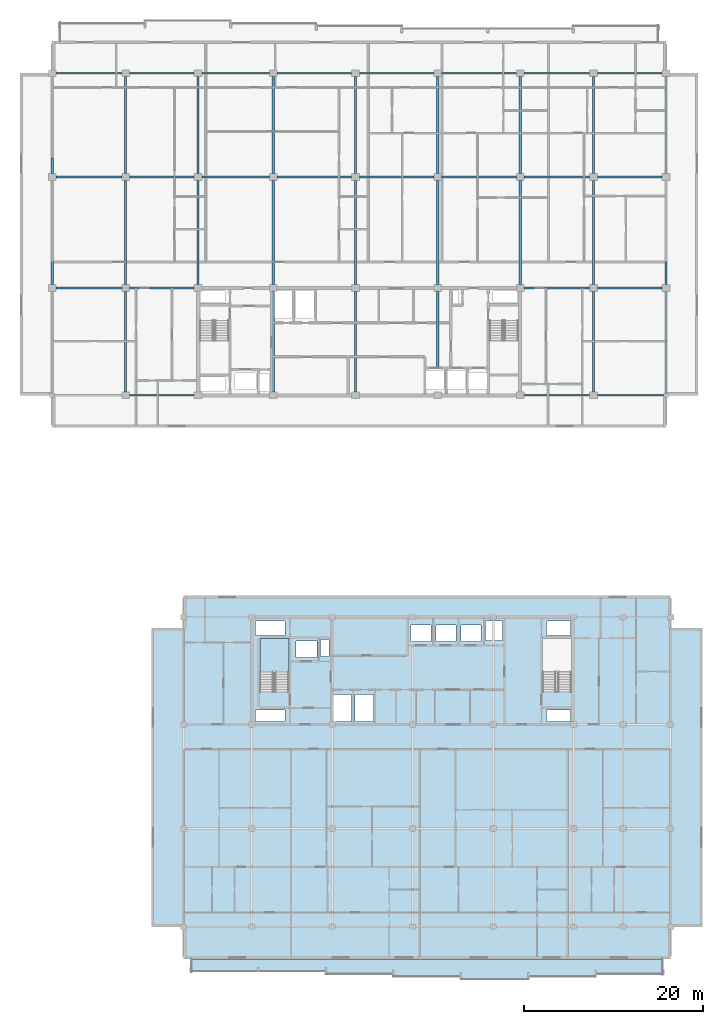
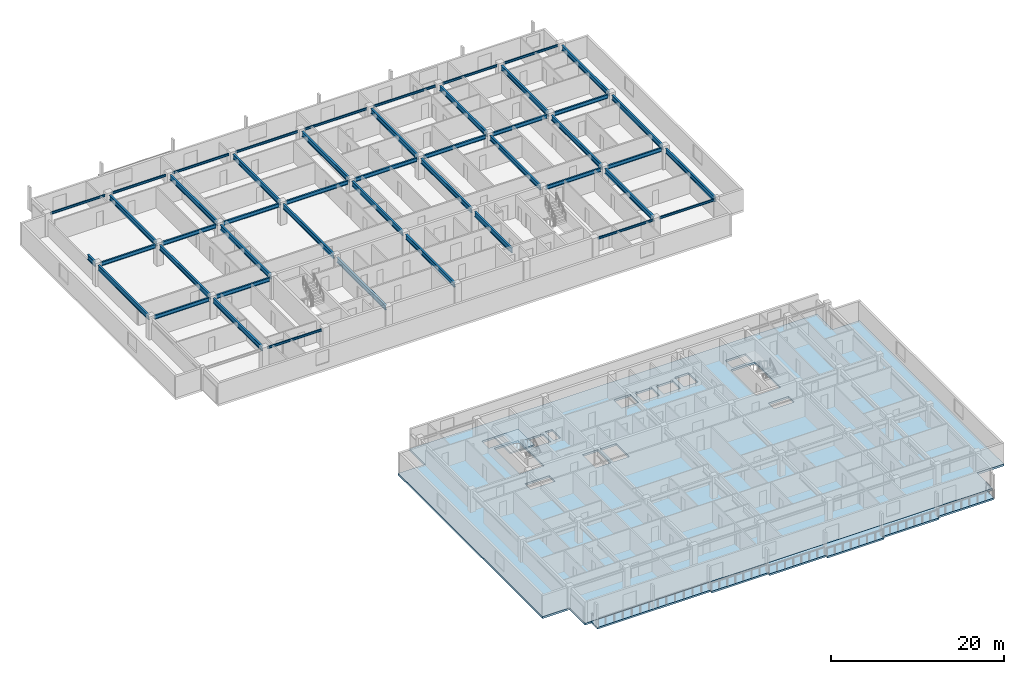
# One storey, part 2 of 21: 47 beams, 3 slabs, 1 element without a shape of its own.
"""IFC4 building model written with IfcOpenShell, lengths in metres."""

from ifc_helpers import new_model, si_unit, direction, frame, origin, origin_2d, place, context, subcontext, project, spatial, polyline, i_section, outline, extrude, material, layer, layer_set, material_profile, profile_set, type_object, element, aggregate, save


model = new_model("IFC4")

# Units and contexts
model_context = context("Model", 3, precision=1e-05, world=origin(), true_north=direction((0.0, 1.0)))
body_context = subcontext(model_context, "Body", "Model", "MODEL_VIEW")
ifc_project = project(units=[si_unit("LENGTHUNIT", "METRE"), si_unit("AREAUNIT", "SQUARE_METRE"), si_unit("VOLUMEUNIT", "CUBIC_METRE"), si_unit("PLANEANGLEUNIT", "RADIAN"), si_unit("MASSUNIT", "GRAM", prefix="KILO")], contexts=[model_context])

# Site, building, storey
site_placement = place(None, origin())
site = spatial("IfcSite", under=ifc_project, at=site_placement, CompositionType="ELEMENT")
building_placement = place(site_placement, origin())
building = spatial("IfcBuilding", under=site, at=building_placement, Name="Korimba Cascade Residences", CompositionType="ELEMENT")
storey_placement = place(building_placement, frame((0.0, 0.0, 188.10009765625)))
storey = spatial("IfcBuildingStorey", under=building, at=storey_placement, Name="L54", CompositionType="ELEMENT", Elevation=188.10009765625)

# Beams
ifc_material_1 = material(Name="Steel S355", Category="steel")
ifc_material_profile_1 = material_profile(ifc_material_1, i_section(OverallWidth=0.165771484375, OverallDepth=0.306640625, WebThickness=0.006591796875, FlangeThickness=0.01171875, FilletRadius=0.0087890625, at=origin_2d()), Name="Steel S355")
ifc_profile_set_1 = profile_set([ifc_material_profile_1], Name="Steel S355")
beam_type_1 = type_object("IfcBeamType", Name="BM-STL-UB305", PredefinedType="SPANDREL", material=ifc_profile_set_1)
beam_1_placement = place(storey_placement, frame((68.425048828125, 55.199951171875, 2.816650390625), z_axis=(1.0, 0.0, 0.0), x_axis=(0.0, 1.0, 0.0)))
element("IfcBeam", 1, at=beam_1_placement, inside=storey, type_object=beam_type_1, Name="L54 T1 E-W Girder Y1 Bay 2", PredefinedType="SPANDREL", context=body_context, shape_type="SweptSolid", body=[
    extrude(i_section(OverallWidth=0.165771484375, OverallDepth=0.306640625, WebThickness=0.006591796875, FlangeThickness=0.01171875, FilletRadius=0.0087890625, at=origin_2d()), origin(), (0.0, 0.0, 1.0), 7.25),
])
beam_2_placement = place(storey_placement, frame((112.52490234375, 55.199951171875, 2.816650390625), z_axis=(1.0, 0.0, 0.0), x_axis=(0.0, 1.0, 0.0)))
element("IfcBeam", 2, at=beam_2_placement, inside=storey, type_object=beam_type_1, Name="L54 T1 E-W Girder Y1 Bay 7", PredefinedType="SPANDREL", context=body_context, shape_type="SweptSolid", body=[
    extrude(i_section(OverallWidth=0.165771484375, OverallDepth=0.306640625, WebThickness=0.006591796875, FlangeThickness=0.01171875, FilletRadius=0.0087890625, at=origin_2d()), origin(), (0.0, 0.0, 1.0), 7.35009765625),
])
beam_3_placement = place(storey_placement, frame((120.72509765625, 55.199951171875, 2.816650390625), z_axis=(1.0, 0.0, 0.0), x_axis=(0.0, 1.0, 0.0)))
element("IfcBeam", 3, at=beam_3_placement, inside=storey, type_object=beam_type_1, Name="L54 T1 E-W Girder Y1 Bay 8", PredefinedType="SPANDREL", context=body_context, shape_type="SweptSolid", body=[
    extrude(i_section(OverallWidth=0.165771484375, OverallDepth=0.306640625, WebThickness=0.006591796875, FlangeThickness=0.01171875, FilletRadius=0.0087890625, at=origin_2d()), origin(), (0.0, 0.0, 1.0), 7.39990234375),
])
beam_4_placement = place(storey_placement, frame((60.22509765625, 91.199951171875, 2.816650390625), z_axis=(1.0, 0.0, 0.0), x_axis=(0.0, 1.0, 0.0)))
element("IfcBeam", 4, at=beam_4_placement, inside=storey, type_object=beam_type_1, Name="L54 T1 E-W Girder Y4 Bay 1", PredefinedType="SPANDREL", context=body_context, shape_type="SweptSolid", body=[
    extrude(i_section(OverallWidth=0.165771484375, OverallDepth=0.306640625, WebThickness=0.006591796875, FlangeThickness=0.01171875, FilletRadius=0.0087890625, at=origin_2d()), origin(), (0.0, 0.0, 1.0), 7.349853515625),
])
beam_5_placement = place(storey_placement, frame((68.425048828125, 91.199951171875, 2.816650390625), z_axis=(1.0, 0.0, 0.0), x_axis=(0.0, 1.0, 0.0)))
element("IfcBeam", 5, at=beam_5_placement, inside=storey, type_object=beam_type_1, Name="L54 T1 E-W Girder Y4 Bay 2", PredefinedType="SPANDREL", context=body_context, shape_type="SweptSolid", body=[
    extrude(i_section(OverallWidth=0.165771484375, OverallDepth=0.306640625, WebThickness=0.006591796875, FlangeThickness=0.01171875, FilletRadius=0.0087890625, at=origin_2d()), origin(), (0.0, 0.0, 1.0), 7.25),
])
beam_6_placement = place(storey_placement, frame((76.52490234375, 91.199951171875, 2.816650390625), z_axis=(1.0, 0.0, 0.0), x_axis=(0.0, 1.0, 0.0)))
element("IfcBeam", 6, at=beam_6_placement, inside=storey, type_object=beam_type_1, Name="L54 T1 E-W Girder Y4 Bay 3", PredefinedType="SPANDREL", context=body_context, shape_type="SweptSolid", body=[
    extrude(i_section(OverallWidth=0.165771484375, OverallDepth=0.306640625, WebThickness=0.006591796875, FlangeThickness=0.01171875, FilletRadius=0.0087890625, at=origin_2d()), origin(), (0.0, 0.0, 1.0), 7.550048828125),
])
beam_7_placement = place(storey_placement, frame((84.925048828125, 91.199951171875, 2.816650390625), z_axis=(1.0, 0.0, 0.0), x_axis=(0.0, 1.0, 0.0)))
element("IfcBeam", 7, at=beam_7_placement, inside=storey, type_object=beam_type_1, Name="L54 T1 E-W Girder Y4 Bay 4", PredefinedType="SPANDREL", context=body_context, shape_type="SweptSolid", body=[
    extrude(i_section(OverallWidth=0.165771484375, OverallDepth=0.306640625, WebThickness=0.006591796875, FlangeThickness=0.01171875, FilletRadius=0.0087890625, at=origin_2d()), origin(), (0.0, 0.0, 1.0), 8.349853515625),
])
for number, where, z_axis, x_axis, name in (
    (8, (94.125, 91.199951171875, 2.816650390625), (1.0, 0.0, 0.0), (0.0, 1.0, 0.0), "L54 T1 E-W Girder Y4 Bay 5"),
    (9, (103.324951171875, 91.199951171875, 2.816650390625), (1.0, 0.0, 0.0), (0.0, 1.0, 0.0), "L54 T1 E-W Girder Y4 Bay 6"),
):
    element("IfcBeam", number, at=place(storey_placement, frame(where, z_axis=z_axis, x_axis=x_axis)), inside=storey, type_object=beam_type_1, Name=name, PredefinedType="SPANDREL", context=body_context, shape_type="SweptSolid", body=[
        extrude(i_section(OverallWidth=0.165771484375, OverallDepth=0.306640625, WebThickness=0.006591796875, FlangeThickness=0.01171875, FilletRadius=0.0087890625, at=origin_2d()), origin(), (0.0, 0.0, 1.0), 8.35009765625),
    ])
beam_8_placement = place(storey_placement, frame((112.52490234375, 91.199951171875, 2.816650390625), z_axis=(1.0, 0.0, 0.0), x_axis=(0.0, 1.0, 0.0)))
element("IfcBeam", 10, at=beam_8_placement, inside=storey, type_object=beam_type_1, Name="L54 T1 E-W Girder Y4 Bay 7", PredefinedType="SPANDREL", context=body_context, shape_type="SweptSolid", body=[
    extrude(i_section(OverallWidth=0.165771484375, OverallDepth=0.306640625, WebThickness=0.006591796875, FlangeThickness=0.01171875, FilletRadius=0.0087890625, at=origin_2d()), origin(), (0.0, 0.0, 1.0), 7.35009765625),
])
beam_9_placement = place(storey_placement, frame((120.72509765625, 91.199951171875, 2.816650390625), z_axis=(1.0, 0.0, 0.0), x_axis=(0.0, 1.0, 0.0)))
element("IfcBeam", 11, at=beam_9_placement, inside=storey, type_object=beam_type_1, Name="L54 T1 E-W Girder Y4 Bay 8", PredefinedType="SPANDREL", context=body_context, shape_type="SweptSolid", body=[
    extrude(i_section(OverallWidth=0.165771484375, OverallDepth=0.306640625, WebThickness=0.006591796875, FlangeThickness=0.01171875, FilletRadius=0.0087890625, at=origin_2d()), origin(), (0.0, 0.0, 1.0), 7.25),
])
ifc_material_profile_2 = material_profile(ifc_material_1, i_section(OverallWidth=0.2099609375, OverallDepth=0.53662109375, WebThickness=0.0107421875, FlangeThickness=0.017333984375, FilletRadius=0.0126953125, at=origin_2d()), Name="Steel S355")
ifc_profile_set_2 = profile_set([ifc_material_profile_2], Name="Steel S355")
beam_type_2 = type_object("IfcBeamType", Name="BM-STL-UB533", PredefinedType="BEAM", material=ifc_profile_set_2)
beam_10_placement = place(storey_placement, frame((60.22509765625, 67.199951171875, 2.701416015625), z_axis=(1.0, 0.0, 0.0), x_axis=(0.0, 1.0, 0.0)))
element("IfcBeam", 12, at=beam_10_placement, inside=storey, type_object=beam_type_2, Name="L54 T1 E-W Girder Y2 Bay 1", PredefinedType="BEAM", context=body_context, shape_type="SweptSolid", body=[
    extrude(i_section(OverallWidth=0.2099609375, OverallDepth=0.53662109375, WebThickness=0.0107421875, FlangeThickness=0.017333984375, FilletRadius=0.0126953125, at=origin_2d()), origin(), (0.0, 0.0, 1.0), 7.349853515625),
])
beam_11_placement = place(storey_placement, frame((68.425048828125, 67.199951171875, 2.701416015625), z_axis=(1.0, 0.0, 0.0), x_axis=(0.0, 1.0, 0.0)))
element("IfcBeam", 13, at=beam_11_placement, inside=storey, type_object=beam_type_2, Name="L54 T1 E-W Girder Y2 Bay 2", PredefinedType="BEAM", context=body_context, shape_type="SweptSolid", body=[
    extrude(i_section(OverallWidth=0.2099609375, OverallDepth=0.53662109375, WebThickness=0.0107421875, FlangeThickness=0.017333984375, FilletRadius=0.0126953125, at=origin_2d()), origin(), (0.0, 0.0, 1.0), 7.25),
])
beam_12_placement = place(storey_placement, frame((112.52490234375, 67.199951171875, 2.701416015625), z_axis=(1.0, 0.0, 0.0), x_axis=(0.0, 1.0, 0.0)))
element("IfcBeam", 14, at=beam_12_placement, inside=storey, type_object=beam_type_2, Name="L54 T1 E-W Girder Y2 Bay 7", PredefinedType="BEAM", context=body_context, shape_type="SweptSolid", body=[
    extrude(i_section(OverallWidth=0.2099609375, OverallDepth=0.53662109375, WebThickness=0.0107421875, FlangeThickness=0.017333984375, FilletRadius=0.0126953125, at=origin_2d()), origin(), (0.0, 0.0, 1.0), 7.35009765625),
])
beam_13_placement = place(storey_placement, frame((120.72509765625, 67.199951171875, 2.701416015625), z_axis=(1.0, 0.0, 0.0), x_axis=(0.0, 1.0, 0.0)))
element("IfcBeam", 15, at=beam_13_placement, inside=storey, type_object=beam_type_2, Name="L54 T1 E-W Girder Y2 Bay 8", PredefinedType="BEAM", context=body_context, shape_type="SweptSolid", body=[
    extrude(i_section(OverallWidth=0.2099609375, OverallDepth=0.53662109375, WebThickness=0.0107421875, FlangeThickness=0.017333984375, FilletRadius=0.0126953125, at=origin_2d()), origin(), (0.0, 0.0, 1.0), 7.25),
])
beam_14_placement = place(storey_placement, frame((60.22509765625, 79.60009765625, 2.701416015625), z_axis=(1.0, 0.0, 0.0), x_axis=(0.0, 1.0, 0.0)))
element("IfcBeam", 16, at=beam_14_placement, inside=storey, type_object=beam_type_2, Name="L54 T1 E-W Girder Y3 Bay 1", PredefinedType="BEAM", context=body_context, shape_type="SweptSolid", body=[
    extrude(i_section(OverallWidth=0.2099609375, OverallDepth=0.53662109375, WebThickness=0.0107421875, FlangeThickness=0.017333984375, FilletRadius=0.0126953125, at=origin_2d()), origin(), (0.0, 0.0, 1.0), 7.349853515625),
])
beam_15_placement = place(storey_placement, frame((68.425048828125, 79.60009765625, 2.701416015625), z_axis=(1.0, 0.0, 0.0), x_axis=(0.0, 1.0, 0.0)))
element("IfcBeam", 17, at=beam_15_placement, inside=storey, type_object=beam_type_2, Name="L54 T1 E-W Girder Y3 Bay 2", PredefinedType="BEAM", context=body_context, shape_type="SweptSolid", body=[
    extrude(i_section(OverallWidth=0.2099609375, OverallDepth=0.53662109375, WebThickness=0.0107421875, FlangeThickness=0.017333984375, FilletRadius=0.0126953125, at=origin_2d()), origin(), (0.0, 0.0, 1.0), 7.25),
])
beam_16_placement = place(storey_placement, frame((76.52490234375, 79.60009765625, 2.701416015625), z_axis=(1.0, 0.0, 0.0), x_axis=(0.0, 1.0, 0.0)))
element("IfcBeam", 18, at=beam_16_placement, inside=storey, type_object=beam_type_2, Name="L54 T1 E-W Girder Y3 Bay 3", PredefinedType="BEAM", context=body_context, shape_type="SweptSolid", body=[
    extrude(i_section(OverallWidth=0.2099609375, OverallDepth=0.53662109375, WebThickness=0.0107421875, FlangeThickness=0.017333984375, FilletRadius=0.0126953125, at=origin_2d()), origin(), (0.0, 0.0, 1.0), 7.550048828125),
])
beam_17_placement = place(storey_placement, frame((84.925048828125, 79.60009765625, 2.701416015625), z_axis=(1.0, 0.0, 0.0), x_axis=(0.0, 1.0, 0.0)))
element("IfcBeam", 19, at=beam_17_placement, inside=storey, type_object=beam_type_2, Name="L54 T1 E-W Girder Y3 Bay 4", PredefinedType="BEAM", context=body_context, shape_type="SweptSolid", body=[
    extrude(i_section(OverallWidth=0.2099609375, OverallDepth=0.53662109375, WebThickness=0.0107421875, FlangeThickness=0.017333984375, FilletRadius=0.0126953125, at=origin_2d()), origin(), (0.0, 0.0, 1.0), 8.349853515625),
])
for number, where, z_axis, x_axis, name in (
    (20, (94.125, 79.60009765625, 2.701416015625), (1.0, 0.0, 0.0), (0.0, 1.0, 0.0), "L54 T1 E-W Girder Y3 Bay 5"),
    (21, (103.324951171875, 79.60009765625, 2.701416015625), (1.0, 0.0, 0.0), (0.0, 1.0, 0.0), "L54 T1 E-W Girder Y3 Bay 6"),
):
    element("IfcBeam", number, at=place(storey_placement, frame(where, z_axis=z_axis, x_axis=x_axis)), inside=storey, type_object=beam_type_2, Name=name, PredefinedType="BEAM", context=body_context, shape_type="SweptSolid", body=[
        extrude(i_section(OverallWidth=0.2099609375, OverallDepth=0.53662109375, WebThickness=0.0107421875, FlangeThickness=0.017333984375, FilletRadius=0.0126953125, at=origin_2d()), origin(), (0.0, 0.0, 1.0), 8.35009765625),
    ])
beam_18_placement = place(storey_placement, frame((112.52490234375, 79.60009765625, 2.701416015625), z_axis=(1.0, 0.0, 0.0), x_axis=(0.0, 1.0, 0.0)))
element("IfcBeam", 22, at=beam_18_placement, inside=storey, type_object=beam_type_2, Name="L54 T1 E-W Girder Y3 Bay 7", PredefinedType="BEAM", context=body_context, shape_type="SweptSolid", body=[
    extrude(i_section(OverallWidth=0.2099609375, OverallDepth=0.53662109375, WebThickness=0.0107421875, FlangeThickness=0.017333984375, FilletRadius=0.0126953125, at=origin_2d()), origin(), (0.0, 0.0, 1.0), 7.35009765625),
])
beam_19_placement = place(storey_placement, frame((120.72509765625, 79.60009765625, 2.701416015625), z_axis=(1.0, 0.0, 0.0), x_axis=(0.0, 1.0, 0.0)))
element("IfcBeam", 23, at=beam_19_placement, inside=storey, type_object=beam_type_2, Name="L54 T1 E-W Girder Y3 Bay 8", PredefinedType="BEAM", context=body_context, shape_type="SweptSolid", body=[
    extrude(i_section(OverallWidth=0.2099609375, OverallDepth=0.53662109375, WebThickness=0.0107421875, FlangeThickness=0.017333984375, FilletRadius=0.0126953125, at=origin_2d()), origin(), (0.0, 0.0, 1.0), 7.25),
])
ifc_material_profile_3 = material_profile(ifc_material_1, i_section(OverallWidth=0.255859375, OverallDepth=0.69287109375, WebThickness=0.014404296875, FlangeThickness=0.023681640625, FilletRadius=0.01513671875, at=origin_2d()), Name="Steel S355")
ifc_profile_set_3 = profile_set([ifc_material_profile_3], Name="Steel S355")
beam_type_3 = type_object("IfcBeamType", Name="BM-STL-UB686", PredefinedType="BEAM", material=ifc_profile_set_3)
beam_20_placement = place(storey_placement, frame((59.800048828125, 67.574951171875, 2.623291015625), z_axis=(0.0, 1.0, 0.0), x_axis=(-1.0, 0.0, 0.0)))
element("IfcBeam", 24, at=beam_20_placement, inside=storey, type_object=beam_type_3, Name="L54 T1 N-S Girder X1 Seg 2", PredefinedType="BEAM", context=body_context, shape_type="SweptSolid", body=[
    extrude(i_section(OverallWidth=0.255859375, OverallDepth=0.69287109375, WebThickness=0.014404296875, FlangeThickness=0.023681640625, FilletRadius=0.01513671875, at=origin_2d()), origin(), (0.0, 0.0, 1.0), 11.650146484375),
])
beam_21_placement = place(storey_placement, frame((59.800048828125, 79.97509765625, 2.623291015625), z_axis=(0.0, 1.0, 0.0), x_axis=(-1.0, 0.0, 0.0)))
element("IfcBeam", 25, at=beam_21_placement, inside=storey, type_object=beam_type_3, Name="L54 T1 N-S Girder X1 Seg 3", PredefinedType="BEAM", context=body_context, shape_type="SweptSolid", body=[
    extrude(i_section(OverallWidth=0.255859375, OverallDepth=0.69287109375, WebThickness=0.014404296875, FlangeThickness=0.023681640625, FilletRadius=0.01513671875, at=origin_2d()), origin(), (0.0, 0.0, 1.0), 1.724853515625),
])
beam_22_placement = place(storey_placement, frame((68.0, 55.574951171875, 2.623291015625), z_axis=(0.0, 1.0, 0.0), x_axis=(-1.0, 0.0, 0.0)))
element("IfcBeam", 26, at=beam_22_placement, inside=storey, type_object=beam_type_3, Name="L54 T1 N-S Girder X2 Seg 1", PredefinedType="BEAM", context=body_context, shape_type="SweptSolid", body=[
    extrude(i_section(OverallWidth=0.255859375, OverallDepth=0.69287109375, WebThickness=0.014404296875, FlangeThickness=0.023681640625, FilletRadius=0.01513671875, at=origin_2d()), origin(), (0.0, 0.0, 1.0), 11.25),
])
beam_23_placement = place(storey_placement, frame((68.0, 67.574951171875, 2.623291015625), z_axis=(0.0, 1.0, 0.0), x_axis=(-1.0, 0.0, 0.0)))
element("IfcBeam", 27, at=beam_23_placement, inside=storey, type_object=beam_type_3, Name="L54 T1 N-S Girder X2 Seg 2", PredefinedType="BEAM", context=body_context, shape_type="SweptSolid", body=[
    extrude(i_section(OverallWidth=0.255859375, OverallDepth=0.69287109375, WebThickness=0.014404296875, FlangeThickness=0.023681640625, FilletRadius=0.01513671875, at=origin_2d()), origin(), (0.0, 0.0, 1.0), 11.650146484375),
])
beam_24_placement = place(storey_placement, frame((68.0, 79.97509765625, 2.623291015625), z_axis=(0.0, 1.0, 0.0), x_axis=(-1.0, 0.0, 0.0)))
element("IfcBeam", 28, at=beam_24_placement, inside=storey, type_object=beam_type_3, Name="L54 T1 N-S Girder X2 Seg 3", PredefinedType="BEAM", context=body_context, shape_type="SweptSolid", body=[
    extrude(i_section(OverallWidth=0.255859375, OverallDepth=0.69287109375, WebThickness=0.014404296875, FlangeThickness=0.023681640625, FilletRadius=0.01513671875, at=origin_2d()), origin(), (0.0, 0.0, 1.0), 10.849853515625),
])
beam_25_placement = place(storey_placement, frame((76.10009765625, 67.574951171875, 2.623291015625), z_axis=(0.0, 1.0, 0.0), x_axis=(-1.0, 0.0, 0.0)))
element("IfcBeam", 29, at=beam_25_placement, inside=storey, type_object=beam_type_3, Name="L54 T1 N-S Girder X3 Seg 2", PredefinedType="BEAM", context=body_context, shape_type="SweptSolid", body=[
    extrude(i_section(OverallWidth=0.255859375, OverallDepth=0.69287109375, WebThickness=0.014404296875, FlangeThickness=0.023681640625, FilletRadius=0.01513671875, at=origin_2d()), origin(), (0.0, 0.0, 1.0), 11.650146484375),
])
beam_26_placement = place(storey_placement, frame((76.10009765625, 79.97509765625, 2.623291015625), z_axis=(0.0, 1.0, 0.0), x_axis=(-1.0, 0.0, 0.0)))
element("IfcBeam", 30, at=beam_26_placement, inside=storey, type_object=beam_type_3, Name="L54 T1 N-S Girder X3 Seg 3", PredefinedType="BEAM", context=body_context, shape_type="SweptSolid", body=[
    extrude(i_section(OverallWidth=0.255859375, OverallDepth=0.69287109375, WebThickness=0.014404296875, FlangeThickness=0.023681640625, FilletRadius=0.01513671875, at=origin_2d()), origin(), (0.0, 0.0, 1.0), 10.849853515625),
])
beam_27_placement = place(storey_placement, frame((84.5, 55.574951171875, 2.623291015625), z_axis=(0.0, 1.0, 0.0), x_axis=(-1.0, 0.0, 0.0)))
element("IfcBeam", 31, at=beam_27_placement, inside=storey, type_object=beam_type_3, Name="L54 T1 N-S Girder X4 Seg 1", PredefinedType="BEAM", context=body_context, shape_type="SweptSolid", body=[
    extrude(i_section(OverallWidth=0.255859375, OverallDepth=0.69287109375, WebThickness=0.014404296875, FlangeThickness=0.023681640625, FilletRadius=0.01513671875, at=origin_2d()), origin(), (0.0, 0.0, 1.0), 11.25),
])
beam_28_placement = place(storey_placement, frame((84.5, 67.574951171875, 2.623291015625), z_axis=(0.0, 1.0, 0.0), x_axis=(-1.0, 0.0, 0.0)))
element("IfcBeam", 32, at=beam_28_placement, inside=storey, type_object=beam_type_3, Name="L54 T1 N-S Girder X4 Seg 2", PredefinedType="BEAM", context=body_context, shape_type="SweptSolid", body=[
    extrude(i_section(OverallWidth=0.255859375, OverallDepth=0.69287109375, WebThickness=0.014404296875, FlangeThickness=0.023681640625, FilletRadius=0.01513671875, at=origin_2d()), origin(), (0.0, 0.0, 1.0), 11.650146484375),
])
beam_29_placement = place(storey_placement, frame((84.5, 79.97509765625, 2.623291015625), z_axis=(0.0, 1.0, 0.0), x_axis=(-1.0, 0.0, 0.0)))
element("IfcBeam", 33, at=beam_29_placement, inside=storey, type_object=beam_type_3, Name="L54 T1 N-S Girder X4 Seg 3", PredefinedType="BEAM", context=body_context, shape_type="SweptSolid", body=[
    extrude(i_section(OverallWidth=0.255859375, OverallDepth=0.69287109375, WebThickness=0.014404296875, FlangeThickness=0.023681640625, FilletRadius=0.01513671875, at=origin_2d()), origin(), (0.0, 0.0, 1.0), 10.849853515625),
])
beam_30_placement = place(storey_placement, frame((93.699951171875, 55.574951171875, 2.623291015625), z_axis=(0.0, 1.0, 0.0), x_axis=(-1.0, 0.0, 0.0)))
element("IfcBeam", 34, at=beam_30_placement, inside=storey, type_object=beam_type_3, Name="L54 T1 N-S Girder X5 Seg 1", PredefinedType="BEAM", context=body_context, shape_type="SweptSolid", body=[
    extrude(i_section(OverallWidth=0.255859375, OverallDepth=0.69287109375, WebThickness=0.014404296875, FlangeThickness=0.023681640625, FilletRadius=0.01513671875, at=origin_2d()), origin(), (0.0, 0.0, 1.0), 11.25),
])
beam_31_placement = place(storey_placement, frame((93.699951171875, 67.574951171875, 2.623291015625), z_axis=(0.0, 1.0, 0.0), x_axis=(-1.0, 0.0, 0.0)))
element("IfcBeam", 35, at=beam_31_placement, inside=storey, type_object=beam_type_3, Name="L54 T1 N-S Girder X5 Seg 2", PredefinedType="BEAM", context=body_context, shape_type="SweptSolid", body=[
    extrude(i_section(OverallWidth=0.255859375, OverallDepth=0.69287109375, WebThickness=0.014404296875, FlangeThickness=0.023681640625, FilletRadius=0.01513671875, at=origin_2d()), origin(), (0.0, 0.0, 1.0), 11.650146484375),
])
beam_32_placement = place(storey_placement, frame((93.699951171875, 79.97509765625, 2.623291015625), z_axis=(0.0, 1.0, 0.0), x_axis=(-1.0, 0.0, 0.0)))
element("IfcBeam", 36, at=beam_32_placement, inside=storey, type_object=beam_type_3, Name="L54 T1 N-S Girder X5 Seg 3", PredefinedType="BEAM", context=body_context, shape_type="SweptSolid", body=[
    extrude(i_section(OverallWidth=0.255859375, OverallDepth=0.69287109375, WebThickness=0.014404296875, FlangeThickness=0.023681640625, FilletRadius=0.01513671875, at=origin_2d()), origin(), (0.0, 0.0, 1.0), 10.849853515625),
])
beam_33_placement = place(storey_placement, frame((102.89990234375, 58.260009765625, 2.623291015625), z_axis=(0.0, 1.0, 0.0), x_axis=(-1.0, 0.0, 0.0)))
element("IfcBeam", 37, at=beam_33_placement, inside=storey, type_object=beam_type_3, Name="L54 T1 N-S Girder X6 Seg 1", PredefinedType="BEAM", context=body_context, shape_type="SweptSolid", body=[
    extrude(i_section(OverallWidth=0.255859375, OverallDepth=0.69287109375, WebThickness=0.014404296875, FlangeThickness=0.023681640625, FilletRadius=0.01513671875, at=origin_2d()), origin(), (0.0, 0.0, 1.0), 8.56494140625),
])
beam_34_placement = place(storey_placement, frame((102.89990234375, 67.574951171875, 2.623291015625), z_axis=(0.0, 1.0, 0.0), x_axis=(-1.0, 0.0, 0.0)))
element("IfcBeam", 38, at=beam_34_placement, inside=storey, type_object=beam_type_3, Name="L54 T1 N-S Girder X6 Seg 2", PredefinedType="BEAM", context=body_context, shape_type="SweptSolid", body=[
    extrude(i_section(OverallWidth=0.255859375, OverallDepth=0.69287109375, WebThickness=0.014404296875, FlangeThickness=0.023681640625, FilletRadius=0.01513671875, at=origin_2d()), origin(), (0.0, 0.0, 1.0), 11.650146484375),
])
beam_35_placement = place(storey_placement, frame((102.89990234375, 79.97509765625, 2.623291015625), z_axis=(0.0, 1.0, 0.0), x_axis=(-1.0, 0.0, 0.0)))
element("IfcBeam", 39, at=beam_35_placement, inside=storey, type_object=beam_type_3, Name="L54 T1 N-S Girder X6 Seg 3", PredefinedType="BEAM", context=body_context, shape_type="SweptSolid", body=[
    extrude(i_section(OverallWidth=0.255859375, OverallDepth=0.69287109375, WebThickness=0.014404296875, FlangeThickness=0.023681640625, FilletRadius=0.01513671875, at=origin_2d()), origin(), (0.0, 0.0, 1.0), 10.849853515625),
])
beam_36_placement = place(storey_placement, frame((112.10009765625, 67.574951171875, 2.623291015625), z_axis=(0.0, 1.0, 0.0), x_axis=(-1.0, 0.0, 0.0)))
element("IfcBeam", 40, at=beam_36_placement, inside=storey, type_object=beam_type_3, Name="L54 T1 N-S Girder X7 Seg 2", PredefinedType="BEAM", context=body_context, shape_type="SweptSolid", body=[
    extrude(i_section(OverallWidth=0.255859375, OverallDepth=0.69287109375, WebThickness=0.014404296875, FlangeThickness=0.023681640625, FilletRadius=0.01513671875, at=origin_2d()), origin(), (0.0, 0.0, 1.0), 11.650146484375),
])
beam_37_placement = place(storey_placement, frame((112.10009765625, 79.97509765625, 2.623291015625), z_axis=(0.0, 1.0, 0.0), x_axis=(-1.0, 0.0, 0.0)))
element("IfcBeam", 41, at=beam_37_placement, inside=storey, type_object=beam_type_3, Name="L54 T1 N-S Girder X7 Seg 3", PredefinedType="BEAM", context=body_context, shape_type="SweptSolid", body=[
    extrude(i_section(OverallWidth=0.255859375, OverallDepth=0.69287109375, WebThickness=0.014404296875, FlangeThickness=0.023681640625, FilletRadius=0.01513671875, at=origin_2d()), origin(), (0.0, 0.0, 1.0), 10.849853515625),
])
beam_38_placement = place(storey_placement, frame((120.300048828125, 55.574951171875, 2.623291015625), z_axis=(0.0, 1.0, 0.0), x_axis=(-1.0, 0.0, 0.0)))
element("IfcBeam", 42, at=beam_38_placement, inside=storey, type_object=beam_type_3, Name="L54 T1 N-S Girder X8 Seg 1", PredefinedType="BEAM", context=body_context, shape_type="SweptSolid", body=[
    extrude(i_section(OverallWidth=0.255859375, OverallDepth=0.69287109375, WebThickness=0.014404296875, FlangeThickness=0.023681640625, FilletRadius=0.01513671875, at=origin_2d()), origin(), (0.0, 0.0, 1.0), 11.25),
])
beam_39_placement = place(storey_placement, frame((120.300048828125, 67.574951171875, 2.623291015625), z_axis=(0.0, 1.0, 0.0), x_axis=(-1.0, 0.0, 0.0)))
element("IfcBeam", 43, at=beam_39_placement, inside=storey, type_object=beam_type_3, Name="L54 T1 N-S Girder X8 Seg 2", PredefinedType="BEAM", context=body_context, shape_type="SweptSolid", body=[
    extrude(i_section(OverallWidth=0.255859375, OverallDepth=0.69287109375, WebThickness=0.014404296875, FlangeThickness=0.023681640625, FilletRadius=0.01513671875, at=origin_2d()), origin(), (0.0, 0.0, 1.0), 11.650146484375),
])
beam_40_placement = place(storey_placement, frame((120.300048828125, 79.97509765625, 2.623291015625), z_axis=(0.0, 1.0, 0.0), x_axis=(-1.0, 0.0, 0.0)))
element("IfcBeam", 44, at=beam_40_placement, inside=storey, type_object=beam_type_3, Name="L54 T1 N-S Girder X8 Seg 3", PredefinedType="BEAM", context=body_context, shape_type="SweptSolid", body=[
    extrude(i_section(OverallWidth=0.255859375, OverallDepth=0.69287109375, WebThickness=0.014404296875, FlangeThickness=0.023681640625, FilletRadius=0.01513671875, at=origin_2d()), origin(), (0.0, 0.0, 1.0), 10.849853515625),
])
beam_41_placement = place(storey_placement, frame((128.39990234375, 55.425048828125, 2.623291015625), z_axis=(0.0, 1.0, 0.0), x_axis=(-1.0, 0.0, 0.0)))
element("IfcBeam", 45, at=beam_41_placement, inside=storey, type_object=beam_type_3, Name="L54 T1 N-S Girder X9 Seg 1", PredefinedType="BEAM", context=body_context, shape_type="SweptSolid", body=[
    extrude(i_section(OverallWidth=0.255859375, OverallDepth=0.69287109375, WebThickness=0.014404296875, FlangeThickness=0.023681640625, FilletRadius=0.01513671875, at=origin_2d()), origin(), (0.0, 0.0, 1.0), 11.39990234375),
])
beam_42_placement = place(storey_placement, frame((128.39990234375, 67.574951171875, 2.623291015625), z_axis=(0.0, 1.0, 0.0), x_axis=(-1.0, 0.0, 0.0)))
element("IfcBeam", 46, at=beam_42_placement, inside=storey, type_object=beam_type_3, Name="L54 T1 N-S Girder X9 Seg 2", PredefinedType="BEAM", context=body_context, shape_type="SweptSolid", body=[
    extrude(i_section(OverallWidth=0.255859375, OverallDepth=0.69287109375, WebThickness=0.014404296875, FlangeThickness=0.023681640625, FilletRadius=0.01513671875, at=origin_2d()), origin(), (0.0, 0.0, 1.0), 11.650146484375),
])
beam_43_placement = place(storey_placement, frame((128.39990234375, 79.97509765625, 2.623291015625), z_axis=(0.0, 1.0, 0.0), x_axis=(-1.0, 0.0, 0.0)))
element("IfcBeam", 47, at=beam_43_placement, inside=storey, type_object=beam_type_3, Name="L54 T1 N-S Girder X9 Seg 3", PredefinedType="BEAM", context=body_context, shape_type="SweptSolid", body=[
    extrude(i_section(OverallWidth=0.255859375, OverallDepth=0.69287109375, WebThickness=0.014404296875, FlangeThickness=0.023681640625, FilletRadius=0.01513671875, at=origin_2d()), origin(), (0.0, 0.0, 1.0), 10.849853515625),
])

# Stair, slab
ifc_material_2 = material(Name="Concrete C50/60", Category="concrete")
stair_type = type_object("IfcStairType", Name="STR-E1-18R-1806", PredefinedType="HALF_TURN_STAIR", material=ifc_material_2)
stair_placement = place(storey_placement, origin())
stair = element("IfcStair", 48, at=stair_placement, inside=storey, type_object=stair_type, Name="L54 Tower 2 West Fire Stair ST-E1", PredefinedType="HALF_TURN_STAIR")
ifc_layer_1 = layer(ifc_material_2, 0.199951171875)
ifc_layer_set_1 = layer_set([ifc_layer_1], Name="Concrete C50/60")
slab_type_1 = type_object("IfcSlabType", Name="SLB-LND-220", PredefinedType="LANDING", material=ifc_layer_set_1)
slab_1_placement = place(storey_placement, frame((0.0, 0.0, 1.4248046875)))
slab_1 = element("IfcSlab", 49, at=slab_1_placement, type_object=slab_type_1, Name="ST-E1 landing 1", PredefinedType="LANDING", context=body_context, shape_type="SweptSolid", body=[
    extrude(outline(polyline([(86.239990234375, 24.2900390625), (86.239990234375, 28.0), (83.0, 28.0), (83.0, 24.2900390625), (86.239990234375, 24.2900390625)])), origin(), (0.0, 0.0, 1.0), 0.2001953125),
])
aggregate(stair, [slab_1])

# Slabs
ifc_material_3 = material(Name="Precast concrete C40/50", Category="concrete")
ifc_layer_2 = layer(ifc_material_3, 0.239990234375)
ifc_layer_set_2 = layer_set([ifc_layer_2], Name="Precast concrete C40/50")
slab_type_2 = type_object("IfcSlabType", Name="SLB-LOG-240", PredefinedType="FLOOR", material=ifc_layer_set_2)
slab_2_placement = place(storey_placement, frame((0.0, 0.0, -0.239990234375)))
element("IfcSlab", 50, at=slab_2_placement, inside=storey, type_object=slab_type_2, Name="L54 Tower 2 South Loggia Slab", PredefinedType="FLOOR", context=body_context, shape_type="SweptSolid", body=[
    extrude(outline(polyline([(75.300048828125, -9.25), (90.3857421875, -9.25), (90.3857421875, -9.550048828125), (97.9287109375, -9.550048828125), (97.9287109375, -9.85009765625), (105.471435546875, -9.85009765625), (105.471435546875, -10.14990234375), (113.014404296875, -10.14990234375), (113.014404296875, -9.85009765625), (120.55712890625, -9.85009765625), (120.55712890625, -9.550048828125), (128.10009765625, -9.550048828125), (128.10009765625, -7.800048828125), (75.300048828125, -7.800048828125), (75.300048828125, -9.25)])), origin(), (0.0, 0.0, 1.0), 0.239990234375),
])
ifc_layer_3 = layer(ifc_material_2, 0.280029296875)
ifc_layer_set_3 = layer_set([ifc_layer_3], Name="Concrete C50/60")
slab_type_3 = type_object("IfcSlabType", Name="SLB-TYP-280", PredefinedType="FLOOR", material=ifc_layer_set_3)
slab_3_placement = place(storey_placement, frame((0.0, 0.0, -0.280029296875)))
element("IfcSlab", 51, at=slab_3_placement, inside=storey, type_object=slab_type_3, Name="L54 Tower 2 Floor Slab", PredefinedType="FLOOR", context=body_context, shape_type="SweptSolid", body=[
    extrude(outline(polyline([(74.5, -7.800048828125), (128.89990234375, -7.800048828125), (128.89990234375, -4.199951171875), (132.5, -4.199951171875), (132.5, 29.199951171875), (128.89990234375, 29.199951171875), (128.89990234375, 32.800048828125), (74.5, 32.800048828125), (74.5, 29.199951171875), (70.89990234375, 29.199951171875), (70.89990234375, -4.199951171875), (74.5, -4.199951171875), (74.5, -7.800048828125)]), holes=[polyline([(86.239990234375, 22.0849609375), (86.239990234375, 28.0), (83.0, 28.0), (83.0, 22.0849609375), (86.239990234375, 22.0849609375)]), polyline([(117.840087890625, 22.0849609375), (117.840087890625, 28.0), (114.60009765625, 28.0), (114.60009765625, 22.0849609375), (117.840087890625, 22.0849609375)]), polyline([(87.030029296875, 25.8798828125), (89.3701171875, 25.8798828125), (89.3701171875, 27.719970703125), (87.030029296875, 27.719970703125), (87.030029296875, 25.8798828125)]), polyline([(99.8798828125, 27.679931640625), (102.1201171875, 27.679931640625), (102.1201171875, 29.52001953125), (99.8798828125, 29.52001953125), (99.8798828125, 27.679931640625)]), polyline([(102.679931640625, 27.679931640625), (104.919921875, 27.679931640625), (104.919921875, 29.52001953125), (102.679931640625, 29.52001953125), (102.679931640625, 27.679931640625)]), polyline([(105.47998046875, 27.679931640625), (107.719970703125, 27.679931640625), (107.719970703125, 29.52001953125), (105.47998046875, 29.52001953125), (105.47998046875, 27.679931640625)]), polyline([(89.780029296875, 25.97998046875), (90.719970703125, 25.97998046875), (90.719970703125, 27.919921875), (89.780029296875, 27.919921875), (89.780029296875, 25.97998046875)]), polyline([(82.530029296875, 18.72998046875), (85.800048828125, 18.72998046875), (85.800048828125, 20.0400390625), (82.530029296875, 20.0400390625), (82.530029296875, 18.72998046875)]), polyline([(82.530029296875, 28.360107421875), (85.800048828125, 28.360107421875), (85.800048828125, 29.969970703125), (82.530029296875, 29.969970703125), (82.530029296875, 28.360107421875)]), polyline([(108.22998046875, 27.780029296875), (110.1201171875, 27.780029296875), (110.1201171875, 29.969970703125), (108.22998046875, 29.969970703125), (108.22998046875, 27.780029296875)]), polyline([(91.22998046875, 18.72998046875), (93.27001953125, 18.72998046875), (93.27001953125, 21.780029296875), (91.22998046875, 21.780029296875), (91.22998046875, 18.72998046875)]), polyline([(93.6298828125, 18.72998046875), (95.719970703125, 18.72998046875), (95.719970703125, 21.780029296875), (93.6298828125, 21.780029296875), (93.6298828125, 18.72998046875)]), polyline([(115.02001953125, 18.72998046875), (117.739990234375, 18.72998046875), (117.739990234375, 20.0400390625), (115.02001953125, 20.0400390625), (115.02001953125, 18.72998046875)]), polyline([(115.02001953125, 28.360107421875), (117.739990234375, 28.360107421875), (117.739990234375, 29.969970703125), (115.02001953125, 29.969970703125), (115.02001953125, 28.360107421875)])]), origin(), (0.0, 0.0, 1.0), 0.280029296875),
])

save(model, "model.ifc")
